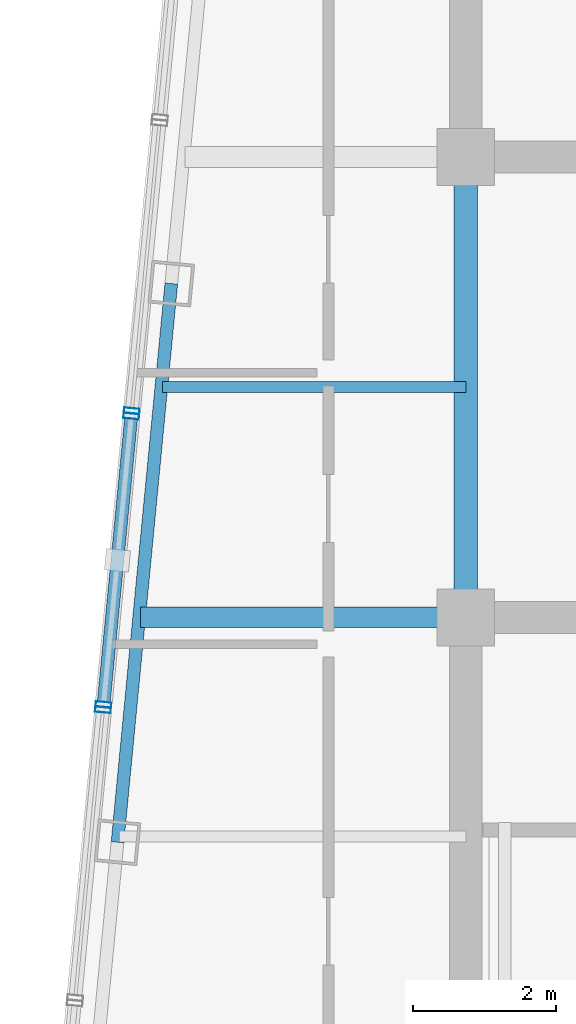
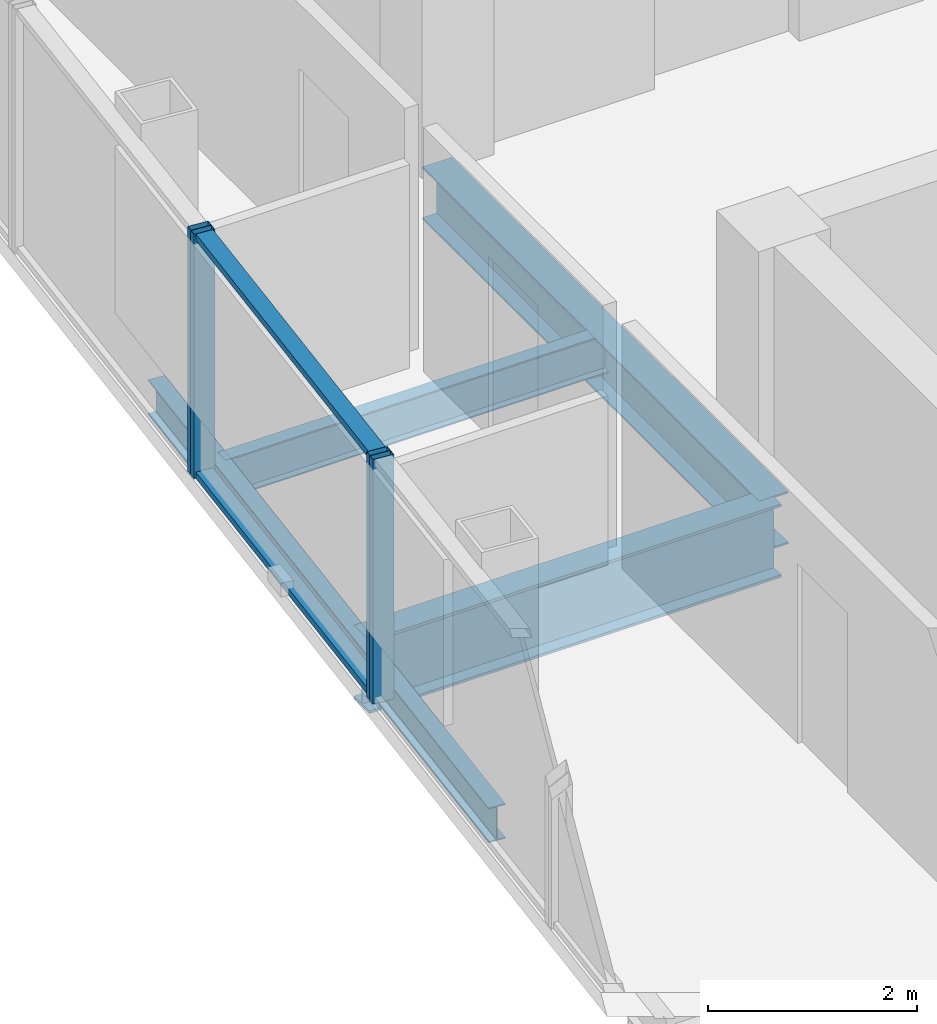
# One storey, part 7 of 23: 6 members, 4 beams, 3 elements without a shape of their own.
"""IFC4 building model written with IfcOpenShell, lengths in metres."""

from ifc_helpers import new_model, si_unit, direction, frame, origin, origin_2d, place, context, subcontext, project, spatial, hollow_rectangle, i_section, extrude, material, layer, layer_set, material_profile, profile_set, type_object, element, aggregate, save


model = new_model("IFC4")

# Units and contexts
model_context = context("Model", 3, precision=1e-05, world=origin(), true_north=direction((0.0, 1.0)))
body_context = subcontext(model_context, "Body", "Model", "MODEL_VIEW")
ifc_project = project(units=[si_unit("LENGTHUNIT", "METRE"), si_unit("AREAUNIT", "SQUARE_METRE"), si_unit("VOLUMEUNIT", "CUBIC_METRE"), si_unit("PLANEANGLEUNIT", "RADIAN"), si_unit("MASSUNIT", "GRAM", prefix="KILO")], contexts=[model_context])

# Site, building, storey
site_placement = place(None, origin())
site = spatial("IfcSite", under=ifc_project, at=site_placement, CompositionType="ELEMENT")
building_placement = place(site_placement, origin())
building = spatial("IfcBuilding", under=site, at=building_placement, Name="Qhalaya Broadcast Tower", CompositionType="ELEMENT")
storey_placement = place(building_placement, frame((0.0, 0.0, 264.199951171875)))
storey = spatial("IfcBuildingStorey", under=building, at=storey_placement, Name="L78", CompositionType="ELEMENT", Elevation=264.199951171875)

# Beams
ifc_material_1 = material(Name="Structural Steel ASTM A992 Grade 50", Category="steel")
ifc_material_profile_1 = material_profile(ifc_material_1, i_section(OverallWidth=0.154052734375, OverallDepth=0.458984375, WebThickness=0.009033203125, FlangeThickness=0.015380859375, at=origin_2d()), Name="W18X46")
ifc_profile_set_1 = profile_set([ifc_material_profile_1], Name="Structural Steel ASTM A992 Grade 50")
beam_type_1 = type_object("IfcBeamType", Name="Composite Floor Joist J04", PredefinedType="JOIST", material=ifc_profile_set_1)
beam_1_placement = place(storey_placement, frame((-13.622314453125, 0.60009765625, -0.41943359375), z_axis=(1.0, 0.0, 0.0), x_axis=(0.0, 1.0, 0.0)))
element("IfcBeam", 1, at=beam_1_placement, inside=storey, type_object=beam_type_1, Name="L78 J04 L78-JWE4W-1", PredefinedType="JOIST", context=body_context, shape_type="SweptSolid", body=[
    extrude(i_section(OverallWidth=0.154052734375, OverallDepth=0.458984375, WebThickness=0.009033203125, FlangeThickness=0.015380859375, at=origin_2d()), origin(), (0.0, 0.0, 1.0), 4.247314453125),
])
ifc_material_profile_2 = material_profile(ifc_material_1, i_section(OverallWidth=0.323974609375, OverallDepth=0.612060546875, WebThickness=0.0126953125, FlangeThickness=0.01904296875, at=origin_2d()), Name="W24X104")
ifc_profile_set_2 = profile_set([ifc_material_profile_2], Name="Structural Steel ASTM A992 Grade 50")
beam_type_2 = type_object("IfcBeamType", Name="Core Frame Tie Beam B04", PredefinedType="BEAM", material=ifc_profile_set_2)
beam_2_placement = place(storey_placement, frame((-9.375, -2.625, -0.495849609375), z_axis=(0.0, 1.0, 0.0), x_axis=(-1.0, 0.0, 0.0)))
element("IfcBeam", 2, at=beam_2_placement, inside=storey, type_object=beam_type_2, Name="L78 B04 L78-CCW", PredefinedType="BEAM", context=body_context, shape_type="SweptSolid", body=[
    extrude(i_section(OverallWidth=0.323974609375, OverallDepth=0.612060546875, WebThickness=0.0126953125, FlangeThickness=0.01904296875, at=origin_2d()), origin(), (0.0, 0.0, 1.0), 6.449951171875),
])

# Curtain wall, member
ifc_material_2 = material(Name="Solar-Control Low-E Triple Glazing", Category="glass")
ifc_layer_1 = layer(ifc_material_2, 0.219970703125, Name="Solar-Control Low-E Triple Glazing")
ifc_layer_set_1 = layer_set([ifc_layer_1], Name="Solar-Control Low-E Triple Glazing")
curtain_wall_type_1 = type_object("IfcCurtainWallType", Name="High-Altitude Upper-Shaft Triple Low-E Curtain Wall CW-04", PredefinedType="NOTDEFINED", material=ifc_layer_set_1)
curtain_wall_1_placement = place(storey_placement, origin())
curtain_wall_1 = element("IfcCurtainWall", 3, at=curtain_wall_1_placement, inside=storey, type_object=curtain_wall_type_1, Name="L78 Unitised Curtain Wall L78-CW-W2", PredefinedType="NOTDEFINED")
ifc_material_3 = material(Name="Anodised Aluminium 6063-T6", Category="aluminium")
ifc_material_profile_3 = material_profile(ifc_material_3, hollow_rectangle(XDim=0.074951171875, YDim=0.219970703125, WallThickness=0.00390625, at=origin_2d()), Name="ALU-MUL 75x220x4")
ifc_profile_set_3 = profile_set([ifc_material_profile_3], Name="Anodised Aluminium 6063-T6")
member_type_1 = type_object("IfcMemberType", Name="Unitised Curtain-Wall Mullion M01", PredefinedType="MULLION", material=ifc_profile_set_3)
member_1_placement = place(storey_placement, frame((-14.055908203125, 0.26953125, 0.0), z_axis=(0.0, 0.0, 1.0), x_axis=(-0.095859120729, -0.995394911064, 0.0)))
member_1 = element("IfcMember", 4, at=member_1_placement, type_object=member_type_1, Name="CW-04 mullion 2", PredefinedType="MULLION", context=body_context, shape_type="SweptSolid", body=[
    extrude(hollow_rectangle(XDim=0.074951171875, YDim=0.219970703125, WallThickness=0.00390625, at=origin_2d()), origin(), (0.0, 0.0, 1.0), 2.860107421875),
])
aggregate(curtain_wall_1, [member_1])

# Curtain wall, members
ifc_material_4 = material(Name="Fired Architectural Terracotta", Category="masonry")
ifc_layer_2 = layer(ifc_material_4, 0.219970703125, Name="Fired Architectural Terracotta")
ifc_layer_set_2 = layer_set([ifc_layer_2], Name="Fired Architectural Terracotta")
curtain_wall_type_2 = type_object("IfcCurtainWallType", Name="Block-Cap Unitised Terracotta Spandrel Wall CW-07", PredefinedType="NOTDEFINED", material=ifc_layer_set_2)
curtain_wall_2_placement = place(storey_placement, origin())
curtain_wall_2 = element("IfcCurtainWall", 5, at=curtain_wall_2_placement, inside=storey, type_object=curtain_wall_type_2, Name="L78 Unitised Curtain Wall L78-CW-W3", PredefinedType="NOTDEFINED")
member_2_placement = place(storey_placement, frame((-14.06298828125, 0.19482421875, 0.0), z_axis=(0.0, 0.0, 1.0), x_axis=(-0.095842786142, -0.995396483992, 0.0)))
member_2 = element("IfcMember", 6, at=member_2_placement, type_object=member_type_1, Name="CW-07 mullion 1", PredefinedType="MULLION", context=body_context, shape_type="SweptSolid", body=[
    extrude(hollow_rectangle(XDim=0.074951171875, YDim=0.219970703125, WallThickness=0.00390625, at=origin_2d()), origin(), (0.0, 0.0, 1.0), 2.860107421875),
])
member_3_placement = place(storey_placement, frame((-14.452392578125, -3.847412109375, 0.0), z_axis=(0.0, 0.0, 1.0), x_axis=(-0.095842786142, -0.995396483992, 0.0)))
member_3 = element("IfcMember", 7, at=member_3_placement, type_object=member_type_1, Name="CW-07 mullion 2", PredefinedType="MULLION", context=body_context, shape_type="SweptSolid", body=[
    extrude(hollow_rectangle(XDim=0.074951171875, YDim=0.219970703125, WallThickness=0.00390625, at=origin_2d()), origin(), (0.0, 0.0, 1.0), 2.860107421875),
])

# Curtain wall, member
curtain_wall_3_placement = place(storey_placement, origin())
curtain_wall_3 = element("IfcCurtainWall", 8, at=curtain_wall_3_placement, inside=storey, type_object=curtain_wall_type_1, Name="L78 Unitised Curtain Wall L78-CW-W4", PredefinedType="NOTDEFINED")
member_4_placement = place(storey_placement, frame((-14.45947265625, -3.922119140625, 0.0), z_axis=(0.0, 0.0, 1.0), x_axis=(-0.095859120729, -0.995394911064, 0.0)))
member_4 = element("IfcMember", 9, at=member_4_placement, type_object=member_type_1, Name="CW-04 mullion 1", PredefinedType="MULLION", context=body_context, shape_type="SweptSolid", body=[
    extrude(hollow_rectangle(XDim=0.074951171875, YDim=0.219970703125, WallThickness=0.00390625, at=origin_2d()), origin(), (0.0, 0.0, 1.0), 2.860107421875),
])
aggregate(curtain_wall_3, [member_4])

# Member
ifc_material_profile_4 = material_profile(ifc_material_3, hollow_rectangle(XDim=0.074951171875, YDim=0.179931640625, WallThickness=0.00390625, at=origin_2d()), Name="ALU-TRN 75x180x4")
ifc_profile_set_4 = profile_set([ifc_material_profile_4], Name="Anodised Aluminium 6063-T6")
member_type_2 = type_object("IfcMemberType", Name="Unitised Curtain-Wall Transom T01", PredefinedType="USERDEFINED", material=ifc_profile_set_4)
member_5_placement = place(storey_placement, frame((-14.066650390625, 0.157470703125, 0.03759765625), z_axis=(-0.095858295501, -0.995394990536, 0.0), x_axis=(0.0, 0.0, 1.0)))
member_5 = element("IfcMember", 10, at=member_5_placement, type_object=member_type_2, Name="CW-07 transom 1.1", ObjectType="TRANSOM", PredefinedType="USERDEFINED", context=body_context, shape_type="SweptSolid", body=[
    extrude(hollow_rectangle(XDim=0.074951171875, YDim=0.179931640625, WallThickness=0.00390625, at=origin_2d()), origin(), (0.0, 0.0, 1.0), 3.98583984375),
])

member_6_placement = place(storey_placement, frame((-14.066650390625, 0.157470703125, 2.822509765625), z_axis=(-0.095858295501, -0.995394990536, 0.0), x_axis=(0.0, 0.0, 1.0)))
member_6 = element("IfcMember", 11, at=member_6_placement, type_object=member_type_2, Name="CW-07 transom 1.2", ObjectType="TRANSOM", PredefinedType="USERDEFINED", context=body_context, shape_type="SweptSolid", body=[
    extrude(hollow_rectangle(XDim=0.074951171875, YDim=0.179931640625, WallThickness=0.00390625, at=origin_2d()), origin(), (0.0, 0.0, 1.0), 3.98583984375),
])

aggregate(curtain_wall_2, [member_2, member_3, member_5, member_6])

# Beams
ifc_material_profile_5 = material_profile(ifc_material_1, i_section(OverallWidth=0.2919921875, OverallDepth=0.85888671875, WebThickness=0.01708984375, FlangeThickness=0.031005859375, at=origin_2d()), Name="W33X169")
ifc_profile_set_5 = profile_set([ifc_material_profile_5], Name="Structural Steel ASTM A992 Grade 50")
beam_type_3 = type_object("IfcBeamType", Name="Upper Block Primary Girder PG4", PredefinedType="USERDEFINED", material=ifc_profile_set_5)
beam_3_placement = place(storey_placement, frame((-13.9326171875, -2.625, -0.619384765625), z_axis=(1.0, 0.0, 0.0), x_axis=(0.0, 1.0, 0.0)))
element("IfcBeam", 12, at=beam_3_placement, inside=storey, type_object=beam_type_3, Name="L78 PG4 L78-PGYW2-1", ObjectType="GIRDER", PredefinedType="USERDEFINED", context=body_context, shape_type="SweptSolid", body=[
    extrude(i_section(OverallWidth=0.2919921875, OverallDepth=0.85888671875, WebThickness=0.01708984375, FlangeThickness=0.031005859375, at=origin_2d()), origin(), (0.0, 0.0, 1.0), 4.5576171875),
])
ifc_material_profile_6 = material_profile(ifc_material_1, i_section(OverallWidth=0.177978515625, OverallDepth=0.406005859375, WebThickness=0.0078125, FlangeThickness=0.0126953125, at=origin_2d()), Name="W16X40")
ifc_profile_set_6 = profile_set([ifc_material_profile_6], Name="Structural Steel ASTM A992 Grade 50")
beam_type_4 = type_object("IfcBeamType", Name="Upper Perimeter Spandrel Beam SP2", PredefinedType="SPANDREL", material=ifc_profile_set_6)
beam_4_placement = place(storey_placement, frame((-13.50244140625, 2.052490234375, -0.39306640625), z_axis=(-0.095837184179, -0.995397023367, 0.0), x_axis=(0.995397023367, -0.095837184179, 0.0)))
element("IfcBeam", 13, at=beam_4_placement, inside=storey, type_object=beam_type_4, Name="L78 SP2 L78-SPR-14", PredefinedType="SPANDREL", context=body_context, shape_type="SweptSolid", body=[
    extrude(i_section(OverallWidth=0.177978515625, OverallDepth=0.406005859375, WebThickness=0.0078125, FlangeThickness=0.0126953125, at=origin_2d()), origin(), (0.0, 0.0, 1.0), 7.866455078125),
])

save(model, "model.ifc")
